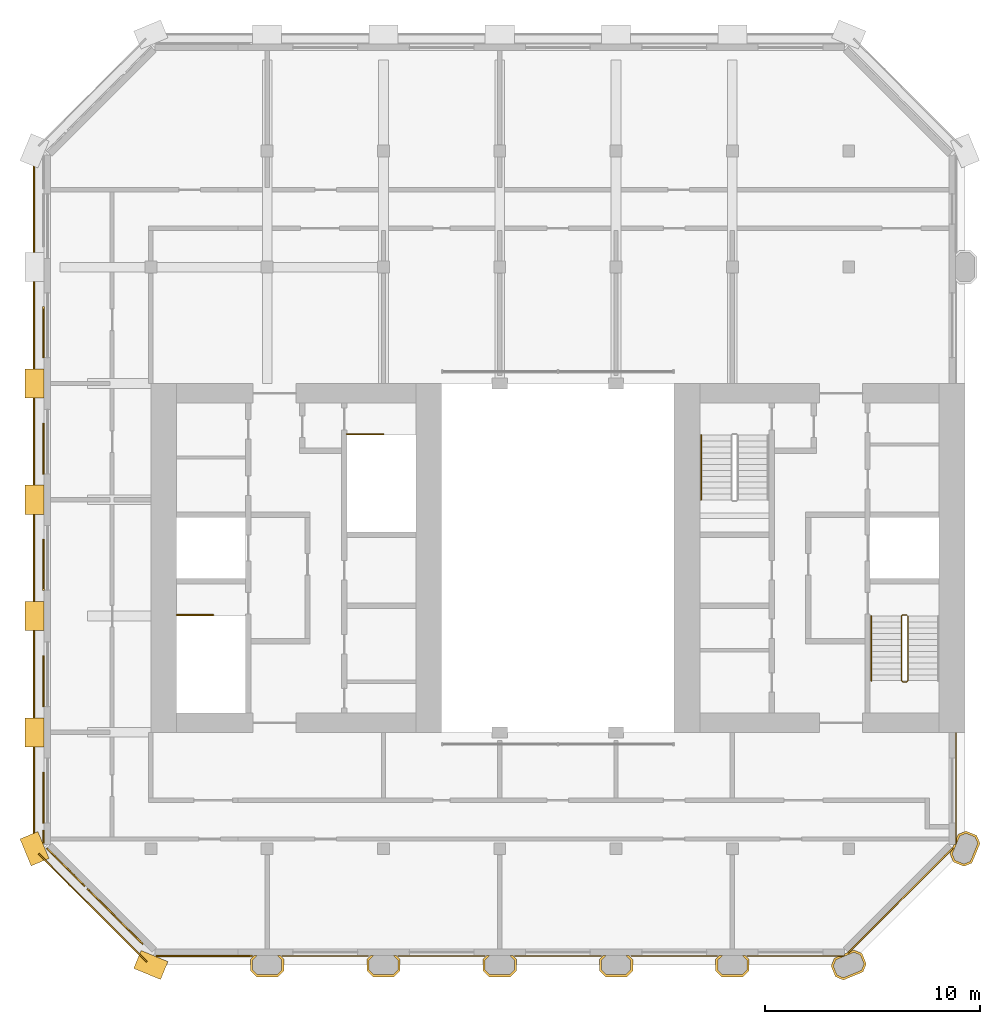
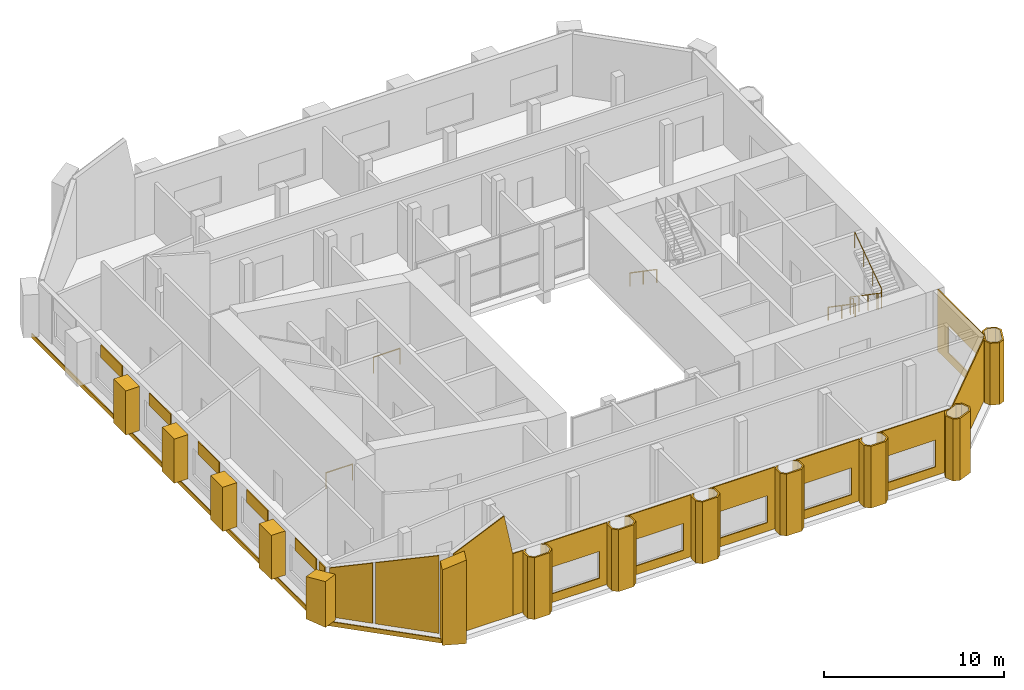
# One storey, part 10 of 11: 32 coverings, 5 railings.
"""IFC4 building model written with IfcOpenShell, lengths in metres."""

from ifc_helpers import new_model, si_unit, direction, frame, frame_2d, origin, origin_2d, place, context, subcontext, project, spatial, polyline, rectangle, circle, outline, extrude, material, layer, layer_set, type_object, element, save


model = new_model("IFC4")

# Units and contexts
model_context = context("Model", 3, precision=1e-05, world=origin(), true_north=direction((0.0, 1.0)))
body_context = subcontext(model_context, "Body", "Model", "MODEL_VIEW")
ifc_project = project(units=[si_unit("LENGTHUNIT", "METRE"), si_unit("AREAUNIT", "SQUARE_METRE"), si_unit("VOLUMEUNIT", "CUBIC_METRE"), si_unit("PLANEANGLEUNIT", "RADIAN"), si_unit("MASSUNIT", "GRAM", prefix="KILO")], contexts=[model_context])

# Site, building, storey
site_placement = place(None, origin())
site = spatial("IfcSite", under=ifc_project, at=site_placement, CompositionType="ELEMENT")
building_placement = place(site_placement, origin())
building = spatial("IfcBuilding", under=site, at=building_placement, Name="Tabaq Tower and Sports Hall", CompositionType="ELEMENT")
storey_placement = place(building_placement, frame((0.0, 0.0, 321.699951171875)))
storey = spatial("IfcBuildingStorey", under=building, at=storey_placement, Name="L80", CompositionType="ELEMENT", Elevation=321.699951171875)

# Coverings
ifc_material_1 = material(Name="Precast concrete C60/75", Category="concrete")
ifc_layer_1 = layer(ifc_material_1, 0.10009765625)
ifc_layer_set_1 = layer_set([ifc_layer_1], Name="Column cladding 100")
covering_type_1 = type_object("IfcCoveringType", Name="Column cladding 100", PredefinedType="CLADDING", material=ifc_layer_set_1)
covering_1_placement = place(storey_placement, origin())
element("IfcCovering", 1, at=covering_1_placement, inside=storey, type_object=covering_type_1, Name="Column cladding L80 PC-3B-CR", PredefinedType="CLADDING", context=body_context, shape_type="SweptSolid", body=[
    extrude(outline(polyline([(10.025390625, 5.666259765625), (10.208740234375, 5.849609375), (10.349365234375, 5.849609375), (10.124755859375, 5.625244140625), (10.124755859375, 5.1748046875), (10.349853515625, 4.94970703125), (11.250244140625, 4.94970703125), (11.475341796875, 5.1748046875), (11.475341796875, 5.625244140625), (11.250732421875, 5.849609375), (11.391357421875, 5.849609375), (11.57470703125, 5.666259765625), (11.57470703125, 5.1337890625), (11.291259765625, 4.850341796875), (10.30859375, 4.850341796875), (10.025390625, 5.1337890625), (10.025390625, 5.666259765625)])), origin(), (0.0, 0.0, 1.0), 4.199951171875),
])
covering_2_placement = place(storey_placement, origin())
element("IfcCovering", 2, at=covering_2_placement, inside=storey, type_object=covering_type_1, Name="Column cladding L80 PC-4B-CR", PredefinedType="CLADDING", context=body_context, shape_type="SweptSolid", body=[
    extrude(outline(polyline([(15.42529296875, 5.666259765625), (15.608642578125, 5.849609375), (15.749267578125, 5.849609375), (15.524658203125, 5.625244140625), (15.524658203125, 5.1748046875), (15.749755859375, 4.94970703125), (16.650146484375, 4.94970703125), (16.875244140625, 5.1748046875), (16.875244140625, 5.625244140625), (16.650634765625, 5.849609375), (16.791259765625, 5.849609375), (16.974609375, 5.666259765625), (16.974609375, 5.1337890625), (16.69140625, 4.850341796875), (15.708740234375, 4.850341796875), (15.42529296875, 5.1337890625), (15.42529296875, 5.666259765625)])), origin(), (0.0, 0.0, 1.0), 4.199951171875),
])
covering_3_placement = place(storey_placement, origin())
element("IfcCovering", 3, at=covering_3_placement, inside=storey, type_object=covering_type_1, Name="Column cladding L80 PC-5B-CR", PredefinedType="CLADDING", context=body_context, shape_type="SweptSolid", body=[
    extrude(outline(polyline([(20.8251953125, 5.666259765625), (21.0087890625, 5.849609375), (21.149169921875, 5.849609375), (20.9248046875, 5.625244140625), (20.9248046875, 5.1748046875), (21.14990234375, 4.94970703125), (22.050048828125, 4.94970703125), (22.275390625, 5.1748046875), (22.275390625, 5.625244140625), (22.05078125, 5.849609375), (22.19140625, 5.849609375), (22.374755859375, 5.666259765625), (22.374755859375, 5.1337890625), (22.09130859375, 4.850341796875), (21.108642578125, 4.850341796875), (20.8251953125, 5.1337890625), (20.8251953125, 5.666259765625)])), origin(), (0.0, 0.0, 1.0), 4.199951171875),
])
covering_4_placement = place(storey_placement, origin())
element("IfcCovering", 4, at=covering_4_placement, inside=storey, type_object=covering_type_1, Name="Column cladding L80 PC-6B-CR", PredefinedType="CLADDING", context=body_context, shape_type="SweptSolid", body=[
    extrude(outline(polyline([(26.225341796875, 5.666259765625), (26.40869140625, 5.849609375), (26.54931640625, 5.849609375), (26.32470703125, 5.625244140625), (26.32470703125, 5.1748046875), (26.5498046875, 4.94970703125), (27.4501953125, 4.94970703125), (27.67529296875, 5.1748046875), (27.67529296875, 5.625244140625), (27.45068359375, 5.849609375), (27.59130859375, 5.849609375), (27.774658203125, 5.666259765625), (27.774658203125, 5.1337890625), (27.4912109375, 4.850341796875), (26.5087890625, 4.850341796875), (26.225341796875, 5.1337890625), (26.225341796875, 5.666259765625)])), origin(), (0.0, 0.0, 1.0), 4.199951171875),
])
covering_5_placement = place(storey_placement, origin())
element("IfcCovering", 5, at=covering_5_placement, inside=storey, type_object=covering_type_1, Name="Column cladding L80 PC-7B-CR", PredefinedType="CLADDING", context=body_context, shape_type="SweptSolid", body=[
    extrude(outline(polyline([(31.625244140625, 5.666259765625), (31.80859375, 5.849609375), (31.94921875, 5.849609375), (31.724609375, 5.625244140625), (31.724609375, 5.1748046875), (31.949951171875, 4.94970703125), (32.85009765625, 4.94970703125), (33.0751953125, 5.1748046875), (33.0751953125, 5.625244140625), (32.850830078125, 5.849609375), (32.9912109375, 5.849609375), (33.1748046875, 5.666259765625), (33.1748046875, 5.1337890625), (32.891357421875, 4.850341796875), (31.90869140625, 4.850341796875), (31.625244140625, 5.1337890625), (31.625244140625, 5.666259765625)])), origin(), (0.0, 0.0, 1.0), 4.199951171875),
])
covering_6_placement = place(storey_placement, origin())
element("IfcCovering", 6, at=covering_6_placement, inside=storey, type_object=covering_type_1, Name="Column cladding L80 PC-8B-CR", PredefinedType="CLADDING", context=body_context, shape_type="SweptSolid", body=[
    extrude(outline(polyline([(36.982421875, 5.349609375), (37.1357421875, 5.7197265625), (37.304443359375, 5.789794921875), (37.55712890625, 5.789794921875), (37.55712890625, 5.849609375), (37.614013671875, 5.849609375), (37.614013671875, 5.91796875), (37.767578125, 5.9814453125), (37.799072265625, 5.9501953125), (37.875, 6.026123046875), (38.04345703125, 6.095947265625), (38.413818359375, 5.9423828125), (38.61767578125, 5.450439453125), (38.46435546875, 5.080078125), (37.556396484375, 4.7041015625), (37.186279296875, 4.857421875), (36.982421875, 5.349609375)]), holes=[polyline([(38.510009765625, 5.450439453125), (38.337646484375, 5.866455078125), (38.04345703125, 5.98828125), (37.2119140625, 5.643798828125), (37.08984375, 5.349609375), (37.26220703125, 4.93359375), (37.556396484375, 4.811767578125), (38.38818359375, 5.15625), (38.510009765625, 5.450439453125)])]), origin(), (0.0, 0.0, 1.0), 4.199951171875),
])
covering_7_placement = place(storey_placement, origin())
element("IfcCovering", 7, at=covering_7_placement, inside=storey, type_object=covering_type_1, Name="Column cladding L80 PC-9C-CR", PredefinedType="CLADDING", context=body_context, shape_type="SweptSolid", body=[
    extrude(outline(polyline([(42.657470703125, 10.186279296875), (42.504150390625, 10.556396484375), (42.573974609375, 10.72509765625), (42.64990234375, 10.801025390625), (42.618408203125, 10.83251953125), (42.68212890625, 10.986083984375), (42.750244140625, 10.986083984375), (42.750244140625, 11.04296875), (42.810302734375, 11.04296875), (42.810302734375, 11.295654296875), (42.880126953125, 11.46435546875), (43.25048828125, 11.61767578125), (43.742431640625, 11.413818359375), (43.895751953125, 11.04345703125), (43.519775390625, 10.1357421875), (43.149658203125, 9.982421875), (42.657470703125, 10.186279296875)]), holes=[polyline([(43.66650390625, 11.337646484375), (43.25048828125, 11.510009765625), (42.956298828125, 11.38818359375), (42.61181640625, 10.556396484375), (42.733642578125, 10.26220703125), (43.149658203125, 10.08984375), (43.44384765625, 10.2119140625), (43.788330078125, 11.04345703125), (43.66650390625, 11.337646484375)])]), origin(), (0.0, 0.0, 1.0), 4.199951171875),
])
ifc_material_2 = material(Name="Precast concrete C60/75", Category="concrete")
ifc_layer_2 = layer(ifc_material_2, 0.06005859375)
ifc_layer_set_2 = layer_set([ifc_layer_2], Name="Edge beam cladding 60")
covering_type_2 = type_object("IfcCoveringType", Name="Edge beam cladding 60", PredefinedType="CLADDING", material=ifc_layer_set_2)
covering_8_placement = place(storey_placement, frame((-0.030029296875, 42.9013671875, -0.300048828125), z_axis=(0.0, 0.0, 1.0), x_axis=(0.0, -1.0, 0.0)))
element("IfcCovering", 8, at=covering_8_placement, inside=storey, type_object=covering_type_2, Name="Edge beam cladding L80 4", PredefinedType="CLADDING", context=body_context, shape_type="SweptSolid", body=[
    extrude(rectangle(XDim=31.802734375, YDim=0.06005859375, at=frame_2d((15.9013671875, 0.0))), origin(), (0.0, 0.0, 1.0), 0.300048828125),
])
covering_9_placement = place(storey_placement, frame((0.18994140625, 10.567626953125, -0.300048828125), z_axis=(0.0, 0.0, 1.0), x_axis=(0.707106781187, -0.707106781187, 0.0)))
element("IfcCovering", 9, at=covering_9_placement, inside=storey, type_object=covering_type_2, Name="Edge beam cladding L80 5", PredefinedType="CLADDING", context=body_context, shape_type="SweptSolid", body=[
    extrude(rectangle(XDim=7.087890625, YDim=0.06005859375, at=frame_2d((3.5439453125, 0.0))), origin(), (0.0, 0.0, 1.0), 0.300048828125),
])
ifc_material_3 = material(Name="White precast concrete C60/75", Category="concrete")
covering_type_3 = type_object("IfcCoveringType", Name="Pier cladding hung 1350x900", PredefinedType="CLADDING", material=ifc_material_3)
covering_10_placement = place(storey_placement, frame((-0.25830078125, 11.423583984375, 0.0), z_axis=(0.0, 0.0, 1.0), x_axis=(0.382649923473, -0.923893411637, 0.0)))
element("IfcCovering", 10, at=covering_10_placement, inside=storey, type_object=covering_type_3, Name="Hung pier cladding 0/2", PredefinedType="CLADDING", context=body_context, shape_type="SweptSolid", body=[
    extrude(outline(polyline([(0.0, 0.0), (1.35009765625, 0.0), (1.35009765625, 3.11474609375), (0.89990234375, 3.038330078125), (0.449951171875, 2.961669921875), (0.0, 2.88525390625), (0.0, 0.0)])), frame((0.0, 0.449951171875, 0.0), z_axis=(0.0, -1.0, 0.0), x_axis=(1.0, 0.0, 0.0)), (0.0, 0.0, 1.0), 0.89990234375),
])
covering_11_placement = place(storey_placement, frame((0.0, 16.875, 0.0), z_axis=(0.0, 0.0, 1.0), x_axis=(0.0, -1.0, 0.0)))
element("IfcCovering", 11, at=covering_11_placement, inside=storey, type_object=covering_type_3, Name="Hung pier cladding 0/3", PredefinedType="CLADDING", context=body_context, shape_type="SweptSolid", body=[
    extrude(outline(polyline([(0.0, 0.0), (1.35009765625, 0.0), (1.35009765625, 3.0), (0.89990234375, 3.0), (0.449951171875, 3.0), (0.0, 3.0), (0.0, 0.0)])), frame((0.0, 0.449951171875, 0.0), z_axis=(0.0, -1.0, 0.0), x_axis=(1.0, 0.0, 0.0)), (0.0, 0.0, 1.0), 0.89990234375),
])
covering_12_placement = place(storey_placement, frame((0.0, 22.27490234375, 0.0), z_axis=(0.0, 0.0, 1.0), x_axis=(0.0, -1.0, 0.0)))
element("IfcCovering", 12, at=covering_12_placement, inside=storey, type_object=covering_type_3, Name="Hung pier cladding 0/4", PredefinedType="CLADDING", context=body_context, shape_type="SweptSolid", body=[
    extrude(outline(polyline([(0.0, 0.0), (1.349853515625, 0.0), (1.35009765625, 3.0), (0.89990234375, 3.0), (0.449951171875, 3.0), (0.0, 3.0), (0.0, 0.0)])), frame((0.0, 0.449951171875, 0.0), z_axis=(0.0, -1.0, 0.0), x_axis=(1.0, 0.0, 0.0)), (0.0, 0.0, 1.0), 0.89990234375),
])
covering_13_placement = place(storey_placement, frame((0.0, 27.675048828125, 0.0), z_axis=(0.0, 0.0, 1.0), x_axis=(0.0, -1.0, 0.0)))
element("IfcCovering", 13, at=covering_13_placement, inside=storey, type_object=covering_type_3, Name="Hung pier cladding 0/5", PredefinedType="CLADDING", context=body_context, shape_type="SweptSolid", body=[
    extrude(outline(polyline([(0.0, 0.0), (1.35009765625, 0.0), (1.35009765625, 3.0), (0.89990234375, 3.0), (0.449951171875, 3.0), (0.0, 3.0), (0.0, 0.0)])), frame((0.0, 0.449951171875, 0.0), z_axis=(0.0, -1.0, 0.0), x_axis=(1.0, 0.0, 0.0)), (0.0, 0.0, 1.0), 0.89990234375),
])
covering_14_placement = place(storey_placement, frame((0.0, 33.074951171875, 0.0), z_axis=(0.0, 0.0, 1.0), x_axis=(0.0, -1.0, 0.0)))
element("IfcCovering", 14, at=covering_14_placement, inside=storey, type_object=covering_type_3, Name="Hung pier cladding 0/6", PredefinedType="CLADDING", context=body_context, shape_type="SweptSolid", body=[
    extrude(outline(polyline([(0.0, 0.0), (1.349853515625, 0.0), (1.35009765625, 3.0), (0.89990234375, 3.0), (0.449951171875, 3.0), (0.0, 3.0), (0.0, 0.0)])), frame((0.0, 0.449951171875, 0.0), z_axis=(0.0, -1.0, 0.0), x_axis=(1.0, 0.0, 0.0)), (0.0, 0.0, 1.0), 0.89990234375),
])
covering_15_placement = place(storey_placement, frame((4.7763671875, 5.658203125, 0.0), z_axis=(0.0, 0.0, 1.0), x_axis=(0.923893411637, -0.382649923473, 0.0)))
element("IfcCovering", 15, at=covering_15_placement, inside=storey, type_object=covering_type_3, Name="Hung pier cladding 1/1", PredefinedType="CLADDING", context=body_context, shape_type="SweptSolid", body=[
    extrude(outline(polyline([(0.0, 0.0), (1.35009765625, 0.0), (1.35009765625, 5.67724609375), (0.89990234375, 5.492431640625), (0.449951171875, 5.3076171875), (0.0, 5.122802734375), (0.0, 0.0)])), frame((0.0, 0.449951171875, 0.0), z_axis=(0.0, -1.0, 0.0), x_axis=(1.0, 0.0, 0.0)), (0.0, 0.0, 1.0), 0.89990234375),
])

# Railings
ifc_material_4 = material(Name="Stainless steel", Category="steel")
railing_type_1 = type_object("IfcRailingType", Name="Stair guard", PredefinedType="GUARDRAIL", material=ifc_material_4)
for number, where, name in (
    (16, (6.60009765625, 21.64990234375, 0.0), "L80 ST1 top well guard 1"),
    (17, (14.5, 30.050048828125, 0.0), "L80 ST2 top well guard 1"),
):
    element("IfcRailing", number, at=place(storey_placement, frame(where)), inside=storey, type_object=railing_type_1, Name=name, PredefinedType="GUARDRAIL", context=body_context, shape_type="SweptSolid", body=[
        extrude(circle(Radius=0.02392578125, at=origin_2d()), frame((0.0, 0.0, 1.076171875), z_axis=(1.0, 0.0, 0.0), x_axis=(0.0, 1.0, 0.0)), (0.0, 0.0, 1.0), 1.699951171875),
        extrude(circle(Radius=0.02099609375, at=origin_2d()), origin(), (0.0, 0.0, 1.0), 1.052001953125),
        extrude(circle(Radius=0.02099609375, at=origin_2d()), frame((1.699951171875, 0.0, 0.0)), (0.0, 0.0, 1.0), 1.052001953125),
    ])
railing_placement = place(storey_placement, frame((40.5, 21.64990234375, 0.0)))
element("IfcRailing", 18, at=railing_placement, inside=storey, type_object=railing_type_1, Name="L80 ST3 stair guard 1", PredefinedType="GUARDRAIL", context=body_context, shape_type="SweptSolid", body=[
    extrude(circle(Radius=0.02392578125, at=origin_2d()), frame((0.0, 0.0, 1.076171875), z_axis=(-1.0, 0.0, 0.0), x_axis=(0.0, -1.0, 0.0)), (0.0, 0.0, 1.0), 0.199951171875),
    extrude(circle(Radius=0.02392578125, at=origin_2d()), frame((-0.199951171875, 0.0, 1.076171875), z_axis=(-0.249802250048, -0.248583702486, 0.935844527007), x_axis=(0.705375805398, -0.708833529934, 0.0)), (0.0, 0.0, 1.0), 0.200439453125),
    extrude(circle(Radius=0.02392578125, at=origin_2d()), frame((-0.25, -0.0498046875, 1.263671875), z_axis=(0.0, -0.824041924199, 0.566528822887), x_axis=(1.0, 0.0, 0.0)), (0.0, 0.0, 1.0), 3.640625),
    extrude(circle(Radius=0.02392578125, at=origin_2d()), frame((-0.25, -3.0498046875, 3.326171875), z_axis=(0.707106781187, -0.707106781187, 0.0), x_axis=(0.707106781187, 0.707106781187, 0.0)), (0.0, 0.0, 1.0), 0.07080078125),
    extrude(circle(Radius=0.02392578125, at=origin_2d()), frame((-0.199951171875, -3.099853515625, 3.326171875), z_axis=(1.0, 0.0, 0.0), x_axis=(0.0, 1.0, 0.0)), (0.0, 0.0, 1.0), 0.199951171875),
    extrude(circle(Radius=0.02392578125, at=origin_2d()), frame((0.0, -3.099853515625, 3.326171875), z_axis=(0.249726431254, 0.249726431254, 0.935560483917), x_axis=(-0.707106781187, 0.707106781187, 0.0)), (0.0, 0.0, 1.0), 0.200439453125),
    extrude(circle(Radius=0.02392578125, at=origin_2d()), frame((0.050048828125, -3.0498046875, 3.513671875), z_axis=(0.0, 0.824041924199, 0.566528822887), x_axis=(-1.0, 0.0, 0.0)), (0.0, 0.0, 1.0), 3.640625),
    extrude(circle(Radius=0.02099609375, at=origin_2d()), origin(), (0.0, 0.0, 1.0), 1.052001953125),
    extrude(circle(Radius=0.02099609375, at=origin_2d()), frame((-0.199951171875, 0.0, 0.0)), (0.0, 0.0, 1.0), 1.052001953125),
    extrude(circle(Radius=0.02099609375, at=origin_2d()), frame((-0.25, -0.0498046875, 0.1875)), (0.0, 0.0, 1.0), 1.052001953125),
    extrude(circle(Radius=0.02099609375, at=origin_2d()), frame((-0.25, -1.0498046875, 0.875)), (0.0, 0.0, 1.0), 1.052001953125),
    extrude(circle(Radius=0.02099609375, at=origin_2d()), frame((-0.25, -2.0498046875, 1.5625)), (0.0, 0.0, 1.0), 1.052001953125),
    extrude(circle(Radius=0.02099609375, at=origin_2d()), frame((-0.25, -3.0498046875, 2.25)), (0.0, 0.0, 1.0), 1.052001953125),
    extrude(circle(Radius=0.02099609375, at=origin_2d()), frame((-0.199951171875, -3.099853515625, 2.25)), (0.0, 0.0, 1.0), 1.052001953125),
    extrude(circle(Radius=0.02099609375, at=origin_2d()), frame((0.0, -3.099853515625, 2.25)), (0.0, 0.0, 1.0), 1.052001953125),
    extrude(circle(Radius=0.02099609375, at=origin_2d()), frame((0.050048828125, -3.0498046875, 2.4375)), (0.0, 0.0, 1.0), 1.052001953125),
    extrude(circle(Radius=0.02099609375, at=origin_2d()), frame((0.050048828125, -2.0498046875, 3.125)), (0.0, 0.0, 1.0), 1.052001953125),
    extrude(circle(Radius=0.02099609375, at=origin_2d()), frame((0.050048828125, -1.0498046875, 3.8125)), (0.0, 0.0, 1.0), 1.052001953125),
    extrude(circle(Radius=0.02099609375, at=origin_2d()), frame((0.050048828125, -0.0498046875, 4.5)), (0.0, 0.0, 1.0), 1.052001953125),
])
ifc_material_5 = material(Name="Stainless steel", Category="steel")
railing_type_2 = type_object("IfcRailingType", Name="Stair handrail", PredefinedType="HANDRAIL", material=ifc_material_5)
for number, where, name in (
    (19, (38.85009765625, 21.60009765625, 0.1875), "L80 ST3 stair handrail 1"),
    (20, (30.949951171875, 30.0, 0.1875), "L80 ST4 stair handrail 1"),
):
    element("IfcRailing", number, at=place(storey_placement, frame(where)), inside=storey, type_object=railing_type_2, Name=name, PredefinedType="HANDRAIL", context=body_context, shape_type="SweptSolid", body=[
        extrude(circle(Radius=0.02392578125, at=origin_2d()), frame((0.0, 0.0, 0.8759765625), z_axis=(0.0, -0.824041924199, 0.566528822887), x_axis=(1.0, 0.0, 0.0)), (0.0, 0.0, 1.0), 3.640625),
        extrude(circle(Radius=0.02099609375, at=origin_2d()), origin(), (0.0, 0.0, 1.0), 0.851806640625),
        extrude(circle(Radius=0.02099609375, at=origin_2d()), frame((0.0, -1.5, 1.03125)), (0.0, 0.0, 1.0), 0.851806640625),
        extrude(circle(Radius=0.02099609375, at=origin_2d()), frame((0.0, -3.0, 2.0625)), (0.0, 0.0, 1.0), 0.851806640625),
    ])

# Coverings
ifc_material_6 = material(Name="Precast concrete C60/75", Category="concrete")
ifc_layer_3 = layer(ifc_material_6, 0.06005859375)
ifc_layer_set_3 = layer_set([ifc_layer_3], Name="White precast cladding panel 60 C60/75")
covering_type_4 = type_object("IfcCoveringType", Name="White precast cladding panel 60 C60/75", PredefinedType="CLADDING", material=ifc_layer_set_3)
covering_16_placement = place(storey_placement, frame((5.64306640625, 5.820068359375, 0.0), z_axis=(0.0, 0.0, 1.0), x_axis=(1.0, 0.0, 0.0)))
element("IfcCovering", 21, at=covering_16_placement, inside=storey, type_object=covering_type_4, Name="White precast cladding panel L80 wall00", PredefinedType="CLADDING", context=body_context, shape_type="SweptSolid", body=[
    extrude(outline(polyline([(0.0, 0.0), (3.806884765625, 0.0), (3.806884765625, 4.199951171875), (3.2548828125, 6.954833984375), (2.702880859375, 6.70947265625), (2.151123046875, 6.464111328125), (1.59912109375, 6.21875), (1.047119140625, 5.973388671875), (0.4951171875, 5.728271484375), (0.0, 5.508056640625), (0.0, 0.0)])), frame((0.0, 0.030029296875, 0.0), z_axis=(0.0, -1.0, 0.0), x_axis=(1.0, 0.0, 0.0)), (0.0, 0.0, 1.0), 0.06005859375),
])
covering_17_placement = place(storey_placement, frame((9.449951171875, 5.820068359375, 0.0), z_axis=(0.0, 0.0, 1.0), x_axis=(1.0, 0.0, 0.0)))
element("IfcCovering", 22, at=covering_17_placement, inside=storey, type_object=covering_type_4, Name="White precast cladding panel L80 wall00-1", PredefinedType="CLADDING", context=body_context, shape_type="SweptSolid", body=[
    extrude(outline(polyline([(0.0, 0.0), (0.6650390625, 0.0), (0.6650390625, 4.199951171875), (0.59912109375, 4.199951171875), (0.0, 4.199951171875), (0.0, 0.0)])), frame((0.0, 0.030029296875, 0.0), z_axis=(0.0, -1.0, 0.0), x_axis=(1.0, 0.0, 0.0)), (0.0, 0.0, 1.0), 0.06005859375),
])
covering_18_placement = place(storey_placement, frame((11.485107421875, 5.820068359375, 0.0), z_axis=(0.0, 0.0, 1.0), x_axis=(1.0, 0.0, 0.0)))
element("IfcCovering", 23, at=covering_18_placement, inside=storey, type_object=covering_type_4, Name="White precast cladding panel L80 wall00-1 2", PredefinedType="CLADDING", context=body_context, shape_type="SweptSolid", body=[
    extrude(outline(polyline([(0.0, 0.0), (4.02978515625, 0.0), (4.030029296875, 4.199951171875), (3.957275390625, 4.199951171875), (3.35791015625, 4.199951171875), (2.7587890625, 4.199951171875), (2.15966796875, 4.199951171875), (1.560302734375, 4.199951171875), (0.961181640625, 4.199951171875), (0.36181640625, 4.199951171875), (0.0, 4.199951171875), (0.0, 0.0)]), holes=[polyline([(0.5048828125, 0.590087890625), (0.5048828125, 2.41015625), (3.52490234375, 2.41015625), (3.52490234375, 0.590087890625), (0.5048828125, 0.590087890625)])]), frame((0.0, 0.030029296875, 0.0), z_axis=(0.0, -1.0, 0.0), x_axis=(1.0, 0.0, 0.0)), (0.0, 0.0, 1.0), 0.06005859375),
])
covering_19_placement = place(storey_placement, frame((16.885009765625, 5.820068359375, 0.0), z_axis=(0.0, 0.0, 1.0), x_axis=(1.0, 0.0, 0.0)))
element("IfcCovering", 24, at=covering_19_placement, inside=storey, type_object=covering_type_4, Name="White precast cladding panel L80 wall00-1 3", PredefinedType="CLADDING", context=body_context, shape_type="SweptSolid", body=[
    extrude(outline(polyline([(0.0, 0.0), (4.030029296875, 0.0), (4.030029296875, 4.199951171875), (3.9501953125, 4.199951171875), (3.35107421875, 4.199951171875), (2.751953125, 4.199951171875), (2.152587890625, 4.199951171875), (1.553466796875, 4.199951171875), (0.9541015625, 4.199951171875), (0.35498046875, 4.199951171875), (0.0, 4.199951171875), (0.0, 0.0)]), holes=[polyline([(0.5048828125, 0.590087890625), (0.5048828125, 2.41015625), (3.52490234375, 2.41015625), (3.52490234375, 0.590087890625), (0.5048828125, 0.590087890625)])]), frame((0.0, 0.030029296875, 0.0), z_axis=(0.0, -1.0, 0.0), x_axis=(1.0, 0.0, 0.0)), (0.0, 0.0, 1.0), 0.06005859375),
])
covering_20_placement = place(storey_placement, frame((22.284912109375, 5.820068359375, 0.0), z_axis=(0.0, 0.0, 1.0), x_axis=(1.0, 0.0, 0.0)))
element("IfcCovering", 25, at=covering_20_placement, inside=storey, type_object=covering_type_4, Name="White precast cladding panel L80 wall00-1 4", PredefinedType="CLADDING", context=body_context, shape_type="SweptSolid", body=[
    extrude(outline(polyline([(0.0, 0.0), (4.030029296875, 0.0), (4.030029296875, 4.199951171875), (3.943359375, 4.199951171875), (3.343994140625, 4.199951171875), (2.744873046875, 4.199951171875), (2.145751953125, 4.199951171875), (1.54638671875, 4.199951171875), (0.947265625, 4.199951171875), (0.347900390625, 4.199951171875), (0.0, 4.199951171875), (0.0, 0.0)]), holes=[polyline([(0.5048828125, 0.590087890625), (0.5048828125, 2.41015625), (3.52490234375, 2.41015625), (3.52490234375, 0.590087890625), (0.5048828125, 0.590087890625)])]), frame((0.0, 0.030029296875, 0.0), z_axis=(0.0, -1.0, 0.0), x_axis=(1.0, 0.0, 0.0)), (0.0, 0.0, 1.0), 0.06005859375),
])
covering_21_placement = place(storey_placement, frame((27.68505859375, 5.820068359375, 0.0), z_axis=(0.0, 0.0, 1.0), x_axis=(1.0, 0.0, 0.0)))
element("IfcCovering", 26, at=covering_21_placement, inside=storey, type_object=covering_type_4, Name="White precast cladding panel L80 wall00-1 5", PredefinedType="CLADDING", context=body_context, shape_type="SweptSolid", body=[
    extrude(outline(polyline([(0.0, 0.0), (4.030029296875, 0.0), (4.030029296875, 4.199951171875), (3.936279296875, 4.199951171875), (3.337158203125, 4.199951171875), (2.73779296875, 4.199951171875), (2.138671875, 4.199951171875), (1.53955078125, 4.199951171875), (0.940185546875, 4.199951171875), (0.341064453125, 4.199951171875), (0.0, 4.199951171875), (0.0, 0.0)]), holes=[polyline([(0.5048828125, 0.590087890625), (0.5048828125, 2.41015625), (3.52490234375, 2.41015625), (3.52490234375, 0.590087890625), (0.5048828125, 0.590087890625)])]), frame((0.0, 0.030029296875, 0.0), z_axis=(0.0, -1.0, 0.0), x_axis=(1.0, 0.0, 0.0)), (0.0, 0.0, 1.0), 0.06005859375),
])
covering_22_placement = place(storey_placement, frame((33.0849609375, 5.820068359375, 0.0), z_axis=(0.0, 0.0, 1.0), x_axis=(1.0, 0.0, 0.0)))
element("IfcCovering", 27, at=covering_22_placement, inside=storey, type_object=covering_type_4, Name="White precast cladding panel L80 wall00-1 6", PredefinedType="CLADDING", context=body_context, shape_type="SweptSolid", body=[
    extrude(outline(polyline([(0.0, 0.0), (4.471923828125, 0.0), (4.471923828125, 4.199951171875), (3.929443359375, 4.199951171875), (3.330078125, 4.199951171875), (2.73095703125, 4.199951171875), (2.131591796875, 4.199951171875), (1.532470703125, 4.199951171875), (0.933349609375, 4.199951171875), (0.333984375, 4.199951171875), (0.0, 4.199951171875), (0.0, 0.0)]), holes=[polyline([(0.5048828125, 0.590087890625), (0.5048828125, 2.41015625), (3.52490234375, 2.41015625), (3.52490234375, 0.590087890625), (0.5048828125, 0.590087890625)])]), frame((0.0, 0.030029296875, 0.0), z_axis=(0.0, -1.0, 0.0), x_axis=(1.0, 0.0, 0.0)), (0.0, 0.0, 1.0), 0.06005859375),
])
covering_23_placement = place(storey_placement, frame((37.77783203125, 5.9716796875, 0.0), z_axis=(0.0, 0.0, 1.0), x_axis=(0.707088985397, 0.707124576528, 0.0)))
element("IfcCovering", 28, at=covering_23_placement, inside=storey, type_object=covering_type_4, Name="White precast cladding panel L80 wall01", PredefinedType="CLADDING", context=body_context, shape_type="SweptSolid", body=[
    extrude(outline(polyline([(0.0, 0.0), (6.859619140625, 0.0), (6.859619140625, 4.199951171875), (6.2880859375, 4.199951171875), (5.71630859375, 4.199951171875), (5.144775390625, 4.199951171875), (4.5732421875, 4.199951171875), (4.00146484375, 4.199951171875), (3.429931640625, 4.199951171875), (2.858154296875, 4.199951171875), (2.28662109375, 4.199951171875), (1.71484375, 4.199951171875), (1.143310546875, 4.199951171875), (0.571533203125, 4.199951171875), (0.0, 4.199951171875), (0.0, 0.0)])), frame((0.0, 0.030029296875, 0.0), z_axis=(0.0, -1.0, 0.0), x_axis=(1.0, 0.0, 0.0)), (0.0, 0.0, 1.0), 0.06005859375),
])
covering_24_placement = place(storey_placement, frame((42.780029296875, 11.043212890625, 0.0), z_axis=(0.0, 0.0, 1.0), x_axis=(0.0, 1.0, 0.0)))
element("IfcCovering", 29, at=covering_24_placement, inside=storey, type_object=covering_type_4, Name="White precast cladding panel L80 wall02", PredefinedType="CLADDING", context=body_context, shape_type="SweptSolid", body=[
    extrude(outline(polyline([(0.0, 0.0), (5.15673828125, 0.0), (5.15673828125, 4.199951171875), (4.57763671875, 4.199951171875), (3.998291015625, 4.199951171875), (3.4189453125, 4.199951171875), (2.839599609375, 4.199951171875), (2.260498046875, 4.199951171875), (1.68115234375, 4.199951171875), (1.101806640625, 4.199951171875), (0.5224609375, 4.199951171875), (0.0, 4.199951171875), (0.0, 0.0)]), holes=[polyline([(0.94677734375, 0.590087890625), (0.94677734375, 2.41015625), (3.966796875, 2.41015625), (3.966796875, 0.590087890625), (0.94677734375, 0.590087890625)])]), frame((0.0, 0.030029296875, 0.0), z_axis=(0.0, -1.0, 0.0), x_axis=(1.0, 0.0, 0.0)), (0.0, 0.0, 1.0), 0.06005859375),
])
covering_25_placement = place(storey_placement, frame((0.419921875, 35.9599609375, 2.41015625), z_axis=(0.0, 0.0, 1.0), x_axis=(0.0, -1.0, 0.0)))
element("IfcCovering", 30, at=covering_25_placement, inside=storey, type_object=covering_type_4, Name="White precast cladding panel L80 wall06 3", PredefinedType="CLADDING", context=body_context, shape_type="SweptSolid", body=[
    extrude(outline(polyline([(0.0, 0.0), (2.369873046875, 0.0), (2.3701171875, 0.8564453125), (1.8427734375, 0.8564453125), (1.249755859375, 0.8564453125), (0.65673828125, 0.8564453125), (0.0634765625, 0.8564453125), (0.0, 0.8564453125), (0.0, 0.0)])), frame((0.0, 0.030029296875, 0.0), z_axis=(0.0, -1.0, 0.0), x_axis=(1.0, 0.0, 0.0)), (0.0, 0.0, 1.0), 0.06005859375),
])
covering_26_placement = place(storey_placement, frame((0.419921875, 30.56005859375, 2.41015625), z_axis=(0.0, 0.0, 1.0), x_axis=(0.0, -1.0, 0.0)))
element("IfcCovering", 31, at=covering_26_placement, inside=storey, type_object=covering_type_4, Name="White precast cladding panel L80 wall06 4", PredefinedType="CLADDING", context=body_context, shape_type="SweptSolid", body=[
    extrude(outline(polyline([(0.0, 0.0), (2.3701171875, 0.0), (2.3701171875, 0.8564453125), (1.78076171875, 0.8564453125), (1.1875, 0.8564453125), (0.594482421875, 0.8564453125), (0.00146484375, 0.8564453125), (0.0, 0.8564453125), (0.0, 0.0)])), frame((0.0, 0.030029296875, 0.0), z_axis=(0.0, -1.0, 0.0), x_axis=(1.0, 0.0, 0.0)), (0.0, 0.0, 1.0), 0.06005859375),
])
covering_27_placement = place(storey_placement, frame((0.419921875, 25.159912109375, 2.41015625), z_axis=(0.0, 0.0, 1.0), x_axis=(0.0, -1.0, 0.0)))
element("IfcCovering", 32, at=covering_27_placement, inside=storey, type_object=covering_type_4, Name="White precast cladding panel L80 wall06 5", PredefinedType="CLADDING", context=body_context, shape_type="SweptSolid", body=[
    extrude(outline(polyline([(0.0, 0.0), (2.369873046875, 0.0), (2.3701171875, 0.8564453125), (2.311767578125, 0.8564453125), (1.718505859375, 0.8564453125), (1.12548828125, 0.8564453125), (0.532470703125, 0.8564453125), (0.0, 0.8564453125), (0.0, 0.0)])), frame((0.0, 0.030029296875, 0.0), z_axis=(0.0, -1.0, 0.0), x_axis=(1.0, 0.0, 0.0)), (0.0, 0.0, 1.0), 0.06005859375),
])
covering_28_placement = place(storey_placement, frame((0.419921875, 19.760009765625, 2.41015625), z_axis=(0.0, 0.0, 1.0), x_axis=(0.0, -1.0, 0.0)))
element("IfcCovering", 33, at=covering_28_placement, inside=storey, type_object=covering_type_4, Name="White precast cladding panel L80 wall06 6", PredefinedType="CLADDING", context=body_context, shape_type="SweptSolid", body=[
    extrude(outline(polyline([(0.0, 0.0), (2.3701171875, 0.0), (2.3701171875, 0.8564453125), (2.24951171875, 0.8564453125), (1.656494140625, 0.8564453125), (1.063232421875, 0.8564453125), (0.47021484375, 0.8564453125), (0.0, 0.8564453125), (0.0, 0.0)])), frame((0.0, 0.030029296875, 0.0), z_axis=(0.0, -1.0, 0.0), x_axis=(1.0, 0.0, 0.0)), (0.0, 0.0, 1.0), 0.06005859375),
])
covering_29_placement = place(storey_placement, frame((0.419921875, 14.360107421875, 2.41015625), z_axis=(0.0, 0.0, 1.0), x_axis=(0.0, -1.0, 0.0)))
element("IfcCovering", 34, at=covering_29_placement, inside=storey, type_object=covering_type_4, Name="White precast cladding panel L80 wall06 7", PredefinedType="CLADDING", context=body_context, shape_type="SweptSolid", body=[
    extrude(outline(polyline([(0.0, 0.0), (2.3701171875, 0.0), (2.3701171875, 0.8564453125), (2.1875, 0.8564453125), (1.59423828125, 0.8564453125), (1.001220703125, 0.8564453125), (0.408203125, 0.8564453125), (0.0, 0.8564453125), (0.0, 0.0)])), frame((0.0, 0.030029296875, 0.0), z_axis=(0.0, -1.0, 0.0), x_axis=(1.0, 0.0, 0.0)), (0.0, 0.0, 1.0), 0.06005859375),
])
covering_30_placement = place(storey_placement, frame((0.419921875, 11.659912109375, 0.0), z_axis=(0.0, 0.0, 1.0), x_axis=(0.0, -1.0, 0.0)))
element("IfcCovering", 35, at=covering_30_placement, inside=storey, type_object=covering_type_4, Name="White precast cladding panel L80 wall06 8", PredefinedType="CLADDING", context=body_context, shape_type="SweptSolid", body=[
    extrude(outline(polyline([(0.0, 0.0), (0.61669921875, 0.0), (0.616943359375, 3.2666015625), (0.08056640625, 3.2666015625), (0.0, 3.2666015625), (0.0, 0.0)])), frame((0.0, 0.030029296875, 0.0), z_axis=(0.0, -1.0, 0.0), x_axis=(1.0, 0.0, 0.0)), (0.0, 0.0, 1.0), 0.06005859375),
])
covering_31_placement = place(storey_placement, frame((0.57177734375, 10.822265625, 0.0), z_axis=(0.0, 0.0, 1.0), x_axis=(0.707057854926, -0.707155704062, 0.0)))
element("IfcCovering", 36, at=covering_31_placement, inside=storey, type_object=covering_type_4, Name="White precast cladding panel L80 wall07", PredefinedType="CLADDING", context=body_context, shape_type="SweptSolid", body=[
    extrude(outline(polyline([(0.0, 0.0), (2.4951171875, 0.0), (2.4951171875, 4.094970703125), (2.28662109375, 4.029296875), (1.71484375, 3.849609375), (1.143310546875, 3.669921875), (0.571533203125, 3.490478515625), (0.0, 3.310791015625), (0.0, 0.0)])), frame((0.0, 0.030029296875, 0.0), z_axis=(0.0, -1.0, 0.0), x_axis=(1.0, 0.0, 0.0)), (0.0, 0.0, 1.0), 0.06005859375),
])
covering_32_placement = place(storey_placement, frame((2.451904296875, 8.942138671875, 0.0), z_axis=(0.0, 0.0, 1.0), x_axis=(0.707106781187, -0.707106781187, 0.0)))
element("IfcCovering", 37, at=covering_32_placement, inside=storey, type_object=covering_type_4, Name="White precast cladding panel L80 wall07 2", PredefinedType="CLADDING", context=body_context, shape_type="SweptSolid", body=[
    extrude(outline(polyline([(0.0, 0.0), (3.654541015625, 0.0), (3.654541015625, 5.294921875), (3.629150390625, 5.286865234375), (3.057373046875, 5.107177734375), (2.48583984375, 4.927490234375), (1.9140625, 4.747802734375), (1.342529296875, 4.568359375), (0.770751953125, 4.388671875), (0.19921875, 4.208984375), (0.0, 4.146240234375), (0.0, 0.0)])), frame((0.0, 0.030029296875, 0.0), z_axis=(0.0, -1.0, 0.0), x_axis=(1.0, 0.0, 0.0)), (0.0, 0.0, 1.0), 0.06005859375),
])

save(model, "model.ifc")
